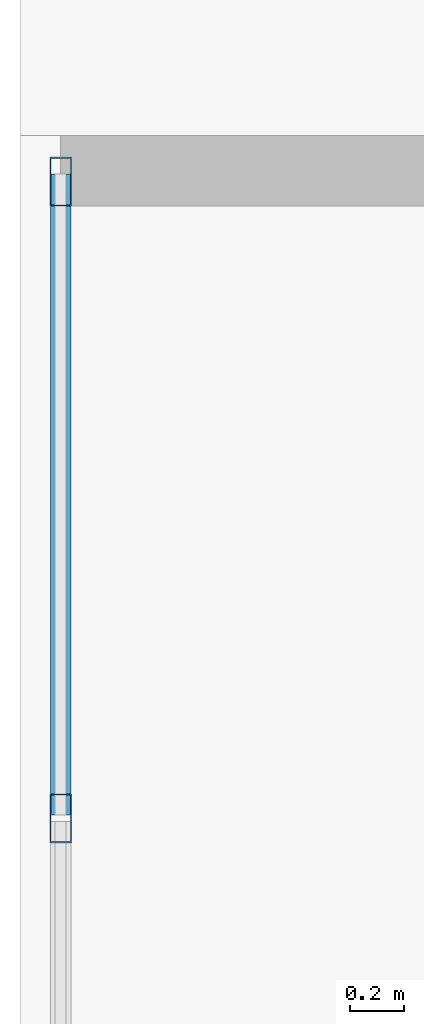
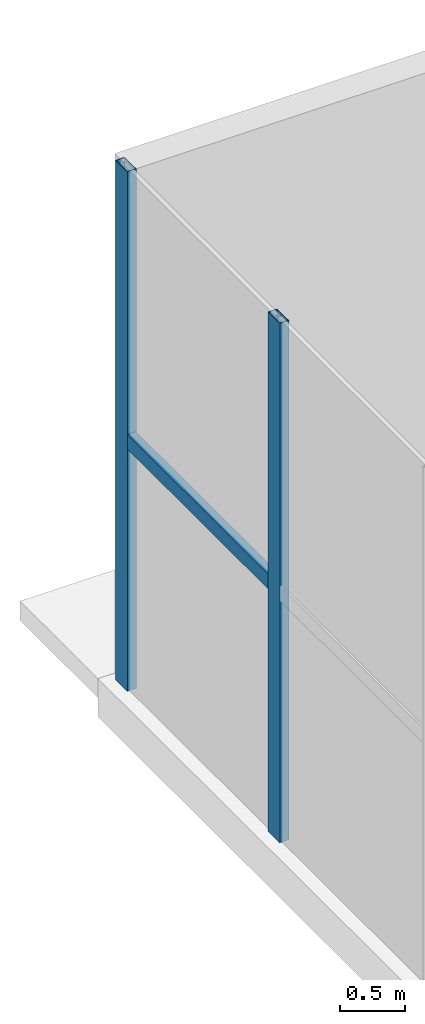
# One storey, part 18 of 40: 3 members, 1 element without a shape of its own.
"""IFC4 building model written with IfcOpenShell, lengths in metres."""

from ifc_helpers import new_model, si_unit, direction, frame, origin, origin_2d, place, context, subcontext, project, spatial, hollow_rectangle, extrude, source, transform, mapped, material, material_profile, profile_set, type_object, element, aggregate, save


model = new_model("IFC4")

# Units and contexts
model_context = context("Model", 3, precision=1e-05, world=origin(), true_north=direction((0.0, 1.0)))
body_context = subcontext(model_context, "Body", "Model", "MODEL_VIEW")
ifc_project = project(units=[si_unit("LENGTHUNIT", "METRE"), si_unit("AREAUNIT", "SQUARE_METRE"), si_unit("VOLUMEUNIT", "CUBIC_METRE"), si_unit("PLANEANGLEUNIT", "RADIAN"), si_unit("MASSUNIT", "GRAM", prefix="KILO")], contexts=[model_context])

# Site, building, storey
site_placement = place(None, origin())
site = spatial("IfcSite", under=ifc_project, at=site_placement, CompositionType="ELEMENT")
building_placement = place(site_placement, origin())
building = spatial("IfcBuilding", under=site, at=building_placement, Name="Trelvane Seafront Commons", CompositionType="ELEMENT")
storey_placement = place(building_placement, origin())
storey = spatial("IfcBuildingStorey", under=building, at=storey_placement, Name="L00", CompositionType="ELEMENT", Elevation=0.0)

# Curtain wall, members
ifc_material = material(Name="Anodised pale-silver aluminium", Category="aluminium")
curtain_wall_type = type_object("IfcCurtainWallType", Name="ARCH-CW4-SKYLOBBY", PredefinedType="NOTDEFINED", material=ifc_material)
curtain_wall_placement = place(storey_placement, origin())
curtain_wall = element("IfcCurtainWall", 1, at=curtain_wall_placement, inside=storey, type_object=curtain_wall_type, Name="CW-L00-0006", PredefinedType="NOTDEFINED")
ifc_material_profile_1 = material_profile(ifc_material, hollow_rectangle(XDim=0.080078125, YDim=0.179931640625, WallThickness=0.00439453125, at=origin_2d()), Name="MULL-80x180x4.5")
ifc_profile_set_1 = profile_set([ifc_material_profile_1], Name="Anodised pale-silver aluminium")
member_type_1 = type_object("IfcMemberType", Name="ARCH-CW-MULL-180", PredefinedType="MULLION", material=ifc_profile_set_1)
shared_shape_1 = source(origin(), body_context, "Body", "SweptSolid", [
    extrude(hollow_rectangle(XDim=0.080078125, YDim=0.179931640625, WallThickness=0.00439453125, at=origin_2d()), origin(), (0.0, 0.0, 1.0), 4.8798828125),
])
member_1_placement = place(storey_placement, frame((-2.050048828125, 49.0830078125, 0.0), z_axis=(0.0, 0.0, 1.0), x_axis=(1.0, 0.0, 0.0)))
member_1 = element("IfcMember", 2, at=member_1_placement, type_object=member_type_1, Name="CW-L00-0006-M19", PredefinedType="MULLION", context=body_context, shape_type="MappedRepresentation", body=[
    mapped(shared_shape_1, transform((0.0, 0.0, 0.0), x_axis=(1.0, 0.0, 0.0), y_axis=(0.0, 1.0, 0.0), z_axis=(0.0, 0.0, 1.0), scale=1.0)),
])
member_2_placement = place(storey_placement, frame((-2.050048828125, 51.429931640625, 0.0), z_axis=(0.0, 0.0, 1.0), x_axis=(1.0, 0.0, 0.0)))
member_2 = element("IfcMember", 3, at=member_2_placement, type_object=member_type_1, Name="CW-L00-0006-M20", PredefinedType="MULLION", context=body_context, shape_type="MappedRepresentation", body=[
    mapped(shared_shape_1, transform((0.0, 0.0, 0.0), x_axis=(1.0, 0.0, 0.0), y_axis=(0.0, 1.0, 0.0), z_axis=(0.0, 0.0, 1.0), scale=1.0)),
])
ifc_material_profile_2 = material_profile(ifc_material, hollow_rectangle(XDim=0.074951171875, YDim=0.139892578125, WallThickness=0.00390625, at=origin_2d()), Name="TRAN-75x140x4")
ifc_profile_set_2 = profile_set([ifc_material_profile_2], Name="Anodised pale-silver aluminium")
member_type_2 = type_object("IfcMemberType", Name="ARCH-CW-TRAN-140", PredefinedType="USERDEFINED", material=ifc_profile_set_2)
shared_shape_2 = source(origin(), body_context, "Body", "SweptSolid", [
    extrude(hollow_rectangle(XDim=0.074951171875, YDim=0.139892578125, WallThickness=0.00390625, at=origin_2d()), origin(), (0.0, 0.0, 1.0), 2.363037109375),
])
member_3_placement = place(storey_placement, frame((-2.050048828125, 49.094970703125, 2.342041015625), z_axis=(0.0, 1.0, 0.0), x_axis=(-1.0, 0.0, 0.0)))
member_3 = element("IfcMember", 4, at=member_3_placement, type_object=member_type_2, Name="CW-L00-0006-T19", ObjectType="TRANSOM", PredefinedType="USERDEFINED", context=body_context, shape_type="MappedRepresentation", body=[
    mapped(shared_shape_2, transform((0.0, 0.0, 0.0), x_axis=(1.0, 0.0, 0.0), y_axis=(0.0, 1.0, 0.0), z_axis=(0.0, 0.0, 1.0), scale=1.0)),
])
aggregate(curtain_wall, [member_1, member_2, member_3])

save(model, "model.ifc")
